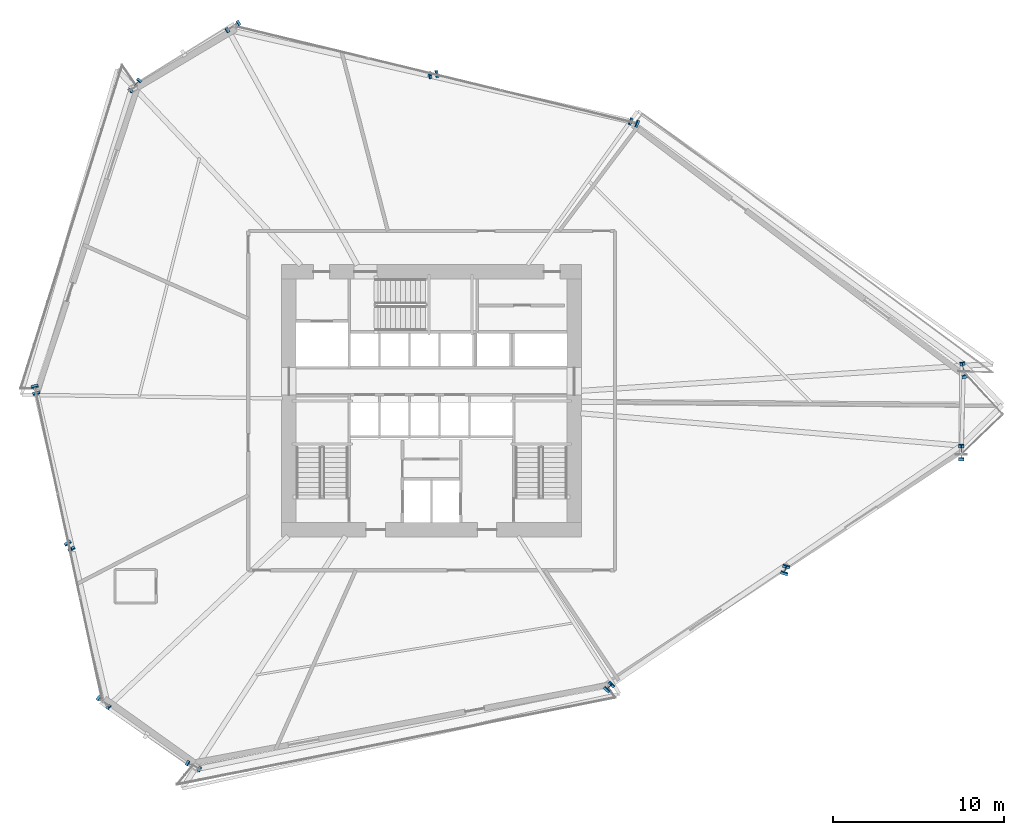
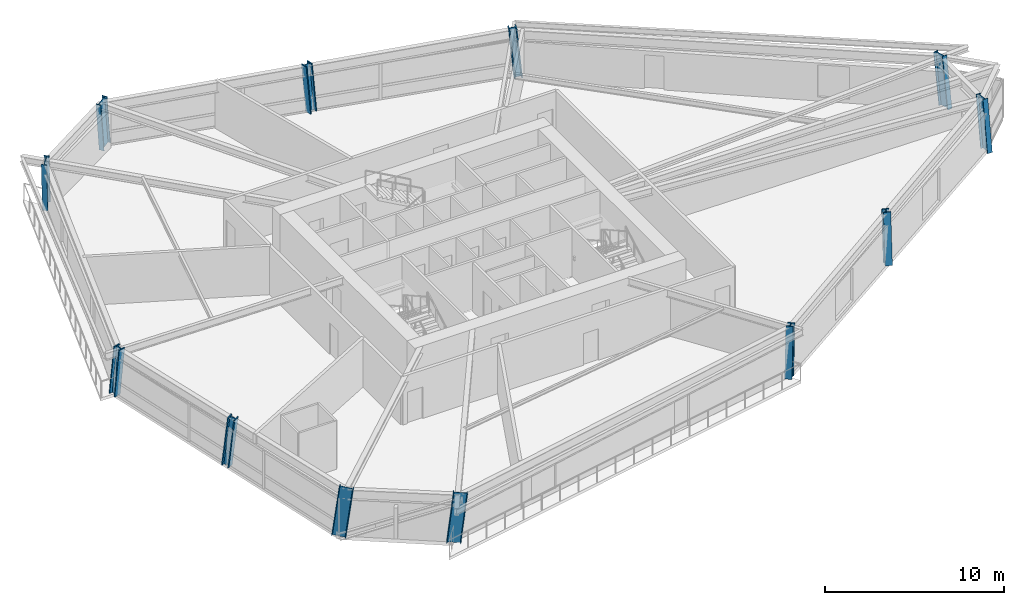
# One storey, part 1 of 24: 12 columns.
"""IFC4 building model written with IfcOpenShell, lengths in metres."""

import ifcopenshell
import ifcopenshell.guid

model = None  # the IFC model being written
_history = None  # IfcOwnerHistory: only IFC2X3 demands one
_inside = {}  # id of a spatial element -> (the spatial element, [elements in it])
_under = {}  # id of a project, library or spatial element -> (it, [spatial elements below it])
_declared = {}  # id of a project -> (the project, [libraries it declares])
_typed = {}  # id of a type object -> (the type object, [elements of that type])
_made_of = {}  # id of a material, layer set ... -> (it, [elements and type objects made of it])


def new_model(schema):
    """Start an empty IFC model of exactly this schema.

    Asked for "IFC4X3", IfcOpenShell would pick the latest addendum, in which some entities
    have other attributes; the version numbers below select the first issue.
    IFC2X3 requires an IfcOwnerHistory on every rooted entity: one is made here for all.
    """
    global model, _history
    if schema == "IFC4X3":
        model = ifcopenshell.file(schema_version=(4, 3, 0, 0))
    else:
        model = ifcopenshell.file(schema=schema)
    _inside.clear()
    _under.clear()
    _declared.clear()
    _typed.clear()
    _made_of.clear()
    _history = None
    if model.schema == "IFC2X3":
        org = make("IfcOrganization", Name="unknown")
        user = make(
            "IfcPersonAndOrganization",
            ThePerson=make("IfcPerson", FamilyName="unknown"),
            TheOrganization=org,
        )
        app = make(
            "IfcApplication",
            ApplicationDeveloper=org,
            Version="unknown",
            ApplicationFullName="unknown",
            ApplicationIdentifier="unknown",
        )
        _history = make(
            "IfcOwnerHistory",
            OwningUser=user,
            OwningApplication=app,
            ChangeAction="ADDED",
            CreationDate=0,
        )
    return model


def make(cls, **values):
    """One entity of the class cls with the attributes given. An attribute that is None is left unset."""
    return model.create_entity(
        cls, **{name: value for name, value in values.items() if value is not None}
    )


def rooted(cls, **values):
    """An entity with a GlobalId (a new one), such as an element, a storey or a relation."""
    return make(cls, GlobalId=ifcopenshell.guid.new(), OwnerHistory=_history, **values)


def si_unit(unit_type, name, prefix=None):
    """IfcSIUnit, for example si_unit("LENGTHUNIT", "METRE", prefix="MILLI")."""
    return make("IfcSIUnit", UnitType=unit_type, Prefix=prefix, Name=name)


def assignment(units):
    """IfcUnitAssignment: the units of a project."""
    return None if units is None else make("IfcUnitAssignment", Units=units)


def point(xyz):
    """IfcCartesianPoint."""
    return None if xyz is None else make("IfcCartesianPoint", Coordinates=xyz)


def direction(xyz):
    """IfcDirection."""
    return None if xyz is None else make("IfcDirection", DirectionRatios=xyz)


def frame(location, z_axis=None, x_axis=None):
    """IfcAxis2Placement3D, a coordinate frame: its origin and axes. An axis left out is left unset."""
    return make(
        "IfcAxis2Placement3D",
        Location=point(location),
        Axis=direction(z_axis),
        RefDirection=direction(x_axis),
    )


def frame_2d(location, x_axis=None):
    """IfcAxis2Placement2D, a coordinate frame in the plane: its origin and x axis."""
    return make(
        "IfcAxis2Placement2D", Location=point(location), RefDirection=direction(x_axis)
    )


def origin():
    """The frame at (0, 0, 0) with its axes left unset."""
    return frame((0.0, 0.0, 0.0))


def origin_2d():
    """The frame at (0, 0) in the plane with its x axis left unset."""
    return frame_2d((0.0, 0.0))


def place(relative_to, where):
    """IfcLocalPlacement: puts the frame where relative to a parent placement (None: the world)."""
    return make(
        "IfcLocalPlacement", PlacementRelTo=relative_to, RelativePlacement=where
    )


def context(
    kind, dimensions, precision=None, world=None, true_north=None, identifier=None
):
    """IfcGeometricRepresentationContext, for example the 3D "Model" context."""
    return make(
        "IfcGeometricRepresentationContext",
        ContextIdentifier=identifier,
        ContextType=kind,
        CoordinateSpaceDimension=dimensions,
        Precision=precision,
        WorldCoordinateSystem=world,
        TrueNorth=true_north,
    )


def subcontext(parent, identifier, kind, view, scale=None):
    """IfcGeometricRepresentationSubContext, for example "Body" below "Model"."""
    return make(
        "IfcGeometricRepresentationSubContext",
        ContextIdentifier=identifier,
        ContextType=kind,
        ParentContext=parent,
        TargetScale=scale,
        TargetView=view,
    )


def project(units=None, contexts=None):
    """IfcProject with its units and contexts."""
    return rooted(
        "IfcProject",
        Name="project",
        RepresentationContexts=contexts,
        UnitsInContext=assignment(units),
    )


def spatial(cls, under=None, at=None, **own):
    """A site, building, storey or space (cls), placed at a placement, below another one or the project."""
    s = rooted(cls, ObjectPlacement=at, **own)
    if under is not None:
        _under.setdefault(under.id(), (under, []))[1].append(s)
    return s


def profile(cls, at=None, kind="AREA", **sizes):
    """A parametric profile (cls). Its sizes go by their IFC names, for example OverallWidth=200.0."""
    return make(cls, ProfileType=kind, Position=at, **sizes)


def i_section(**sizes):
    """IfcIShapeProfileDef."""
    return profile("IfcIShapeProfileDef", **sizes)


def extrude(swept, where, along, depth):
    """IfcExtrudedAreaSolid: the profile swept, set in the frame where, extruded along a direction by depth."""
    return make(
        "IfcExtrudedAreaSolid",
        SweptArea=swept,
        Position=where,
        ExtrudedDirection=direction(along),
        Depth=depth,
    )


def shape(context_of_items, identifier, shape_type, items):
    """IfcShapeRepresentation: the items that make up one representation, for example the "Body"."""
    return make(
        "IfcShapeRepresentation",
        ContextOfItems=context_of_items,
        RepresentationIdentifier=identifier,
        RepresentationType=shape_type,
        Items=items,
    )


def source(mapping_origin, context_of_items, identifier, shape_type, items):
    """IfcRepresentationMap: a shape defined once, which mapped items show again and again."""
    return make(
        "IfcRepresentationMap",
        MappingOrigin=mapping_origin,
        MappedRepresentation=shape(context_of_items, identifier, shape_type, items),
    )


def transform(
    local_origin,
    x_axis=None,
    y_axis=None,
    z_axis=None,
    scale=None,
    scale2=None,
    scale3=None,
    uniform=True,
):
    """IfcCartesianTransformationOperator3D, or its non-uniform kind. x_axis, y_axis, z_axis: its Axis1, 2, 3."""
    if uniform:
        return make(
            "IfcCartesianTransformationOperator3D",
            Axis1=direction(x_axis),
            Axis2=direction(y_axis),
            LocalOrigin=point(local_origin),
            Scale=scale,
            Axis3=direction(z_axis),
        )
    return make(
        "IfcCartesianTransformationOperator3DnonUniform",
        Axis1=direction(x_axis),
        Axis2=direction(y_axis),
        LocalOrigin=point(local_origin),
        Scale=scale,
        Axis3=direction(z_axis),
        Scale2=scale2,
        Scale3=scale3,
    )


def mapped(mapping_source, mapping_target):
    """IfcMappedItem: shows the shape of a source again, moved by a transform."""
    return make(
        "IfcMappedItem", MappingSource=mapping_source, MappingTarget=mapping_target
    )


def material(Name=None, Category=None):
    """IfcMaterial."""
    return make("IfcMaterial", Name=Name, Category=Category)


def material_profile(
    of_material, cross_section, Name=None, Category=None, Priority=None
):
    """IfcMaterialProfile: a cross section and its material."""
    return make(
        "IfcMaterialProfile",
        Name=Name,
        Material=of_material,
        Profile=cross_section,
        Priority=Priority,
        Category=Category,
    )


def profile_set(profiles, Name=None, composite=None):
    """IfcMaterialProfileSet."""
    return make(
        "IfcMaterialProfileSet",
        Name=Name,
        MaterialProfiles=profiles,
        CompositeProfile=composite,
    )


def made_of(thing, what):
    """Note that an element or type object is made of a material, layer set ...; save() writes the relation."""
    if what is not None:
        _made_of.setdefault(what.id(), (what, []))[1].append(thing)
    return thing


def type_object(cls, material=None, **own):
    """A type object (cls), such as IfcWallType, which elements share."""
    return made_of(rooted(cls, **own), material)


def element(
    cls,
    number,
    at=None,
    inside=None,
    cuts=None,
    type_object=None,
    material=None,
    context=None,
    identifier="Body",
    shape_type=None,
    held_by="IfcProductDefinitionShape",
    body=None,
    shapes=None,
    **own,
):
    """One element of the class cls, such as IfcWall. Its Tag is "e" and its number.

    at: its placement. inside: the storey or other place that contains it. cuts: it is an
    opening in that element (IfcRelVoidsElement). A single representation is given by context,
    identifier, shape_type and body (its items); several are given by shapes. held_by: the class
    of the entity that holds the representations. save() writes the other relations.
    """
    e = rooted(cls, Tag="e%d" % number, ObjectPlacement=at, **own)
    if body is not None:
        shapes = [shape(context, identifier, shape_type, body)]
    if shapes is not None:
        e.Representation = make(held_by, Representations=shapes)
    if inside is not None:
        _inside.setdefault(inside.id(), (inside, []))[1].append(e)
    if cuts is not None:
        rooted(
            "IfcRelVoidsElement", RelatingBuildingElement=cuts, RelatedOpeningElement=e
        )
    if type_object is not None:
        _typed.setdefault(type_object.id(), (type_object, []))[1].append(e)
    return made_of(e, material)


def aggregate(whole, parts):
    """IfcRelAggregates: a whole, such as a stair, and the parts it consists of."""
    return rooted("IfcRelAggregates", RelatingObject=whole, RelatedObjects=parts)


def save(model, path):
    """Write the relations noted so far, then the file.

    IfcRelAggregates (storeys below a building ...), IfcRelContainedInSpatialStructure (elements
    in a storey), IfcRelDefinesByType, IfcRelAssociatesMaterial and IfcRelDeclares: one each for
    every whole, place, type object, material and project.
    """
    for whole, parts in _under.values():
        aggregate(whole, parts)
    for where, things in _inside.values():
        rooted(
            "IfcRelContainedInSpatialStructure",
            RelatedElements=things,
            RelatingStructure=where,
        )
    for kind, things in _typed.values():
        rooted("IfcRelDefinesByType", RelatedObjects=things, RelatingType=kind)
    for what, things in _made_of.values():
        rooted("IfcRelAssociatesMaterial", RelatedObjects=things, RelatingMaterial=what)
    for by, libraries in _declared.values():
        rooted("IfcRelDeclares", RelatingContext=by, RelatedDefinitions=libraries)
    model.write(path)


model = new_model("IFC4")

# Units and contexts
model_context = context("Model", 3, precision=1e-05, world=origin(), true_north=direction((0.0, 1.0)))
body_context = subcontext(model_context, "Body", "Model", "MODEL_VIEW")
ifc_project = project(units=[si_unit("LENGTHUNIT", "METRE"), si_unit("AREAUNIT", "SQUARE_METRE"), si_unit("VOLUMEUNIT", "CUBIC_METRE"), si_unit("PLANEANGLEUNIT", "RADIAN"), si_unit("MASSUNIT", "GRAM", prefix="KILO")], contexts=[model_context])

# Site, building, storey
site_placement = place(None, origin())
site = spatial("IfcSite", under=ifc_project, at=site_placement, CompositionType="ELEMENT")
building_placement = place(site_placement, origin())
building = spatial("IfcBuilding", under=site, at=building_placement, Name="Olszyna Solenne Hotel", CompositionType="ELEMENT")
storey_placement = place(building_placement, frame((0.0, 0.0, 29.300048828125)))
storey = spatial("IfcBuildingStorey", under=building, at=storey_placement, Name="L06", CompositionType="ELEMENT", Elevation=29.300048828125)

# Columns
ifc_material = material(Name="Steel S460M", Category="steel")
ifc_material_profile_1 = material_profile(ifc_material, i_section(OverallWidth=0.30810546875, OverallDepth=0.81396484375, WebThickness=0.02099609375, FlangeThickness=0.0400390625, at=origin_2d()), Name="HEM 800", Category="load-bearing")
ifc_profile_set_1 = profile_set([ifc_material_profile_1], Name="Steel S460M")
column_type_1 = type_object("IfcColumnType", Name="COL-K1", PredefinedType="COLUMN", material=ifc_profile_set_1)
shared_shape_1 = source(origin(), body_context, "Body", "SweptSolid", [
    extrude(i_section(OverallWidth=0.30810546875, OverallDepth=0.81396484375, WebThickness=0.02099609375, FlangeThickness=0.0400390625, at=origin_2d()), origin(), (0.0, 0.0, 1.0), 3.422607421875),
])
column_1_placement = place(storey_placement, frame((68.9111328125, 23.4697265625, 0.0), z_axis=(0.000428000602, 0.147660207699, 0.989038057851), x_axis=(-0.999995799228, 0.002898538548, 0.0)))
element("IfcColumn", 1, at=column_1_placement, inside=storey, type_object=column_type_1, Name="Perimeter framed-tube column COL-K1 C-L06-01", PredefinedType="COLUMN", context=body_context, shape_type="MappedRepresentation", body=[
    mapped(shared_shape_1, transform((0.0, 0.0, 0.0), x_axis=(1.0, 0.0, 0.0), y_axis=(0.0, 1.0, 0.0), z_axis=(0.0, 0.0, 1.0), scale=1.0)),
])
shared_shape_2 = source(origin(), body_context, "Body", "SweptSolid", [
    extrude(i_section(OverallWidth=0.30810546875, OverallDepth=0.81396484375, WebThickness=0.02099609375, FlangeThickness=0.0400390625, at=origin_2d()), origin(), (0.0, 0.0, 1.0), 3.418212890625),
])
column_2_placement = place(storey_placement, frame((69.0498046875, 28.290771484375, 0.0), z_axis=(-0.021856338759, 0.13706638588, 0.99032070882), x_axis=(-0.987523986633, -0.157468650292, 0.0)))
element("IfcColumn", 2, at=column_2_placement, inside=storey, type_object=column_type_1, Name="Perimeter framed-tube column COL-K1 C-L06-02", PredefinedType="COLUMN", context=body_context, shape_type="MappedRepresentation", body=[
    mapped(shared_shape_2, transform((0.0, 0.0, 0.0), x_axis=(1.0, 0.0, 0.0), y_axis=(0.0, 1.0, 0.0), z_axis=(0.0, 0.0, 1.0), scale=1.0)),
])
ifc_material_profile_2 = material_profile(ifc_material, i_section(OverallWidth=0.424072265625, OverallDepth=0.47412109375, WebThickness=0.04296875, FlangeThickness=0.068115234375, at=origin_2d()), Name="HD 400x634", Category="load-bearing")
ifc_profile_set_2 = profile_set([ifc_material_profile_2], Name="Steel S460M")
column_type_2 = type_object("IfcColumnType", Name="COL-T1", PredefinedType="COLUMN", material=ifc_profile_set_2)
shared_shape_3 = source(origin(), body_context, "Body", "SweptSolid", [
    extrude(i_section(OverallWidth=0.424072265625, OverallDepth=0.47412109375, WebThickness=0.04296875, FlangeThickness=0.068115234375, at=origin_2d()), origin(), (0.0, 0.0, 1.0), 3.39990234375),
])
column_3_placement = place(storey_placement, frame((49.8544921875, 42.805419921875, 0.0), z_axis=(-0.088177327317, 0.032168927229, 0.995585214368), x_axis=(-0.342725666193, -0.93943553144, 0.0)))
element("IfcColumn", 3, at=column_3_placement, inside=storey, type_object=column_type_2, Name="Perimeter framed-tube column COL-T1 C-L06-03", PredefinedType="COLUMN", context=body_context, shape_type="MappedRepresentation", body=[
    mapped(shared_shape_3, transform((0.0, 0.0, 0.0), x_axis=(1.0, 0.0, 0.0), y_axis=(0.0, 1.0, 0.0), z_axis=(0.0, 0.0, 1.0), scale=1.0)),
])
shared_shape_4 = source(origin(), body_context, "Body", "SweptSolid", [
    extrude(i_section(OverallWidth=0.424072265625, OverallDepth=0.47412109375, WebThickness=0.04296875, FlangeThickness=0.068115234375, at=origin_2d()), origin(), (0.0, 0.0, 1.0), 3.400634765625),
])
for number, where, z_axis, x_axis, name in (
    (4, (38.1591796875, 45.63427734375, 0.0), (-0.094548735687, -0.016583719016, 0.995382095903), (0.172761290889, -0.984963723378, 0.0), "Perimeter framed-tube column COL-T1 C-L06-04"),
    (5, (48.318603515625, 9.842529296875, 0.0), (0.065114905761, 0.070427478006, 0.99538938079), (-0.73425798924, 0.678870536433, 0.0), "Perimeter framed-tube column COL-T1 C-L06-11"),
):
    element("IfcColumn", number, at=place(storey_placement, frame(where, z_axis=z_axis, x_axis=x_axis)), inside=storey, type_object=column_type_2, Name=name, PredefinedType="COLUMN", context=body_context, shape_type="MappedRepresentation", body=[
        mapped(shared_shape_4, transform((0.0, 0.0, 0.0), x_axis=(1.0, 0.0, 0.0), y_axis=(0.0, 1.0, 0.0), z_axis=(0.0, 0.0, 1.0), scale=1.0)),
    ])
shared_shape_5 = source(origin(), body_context, "Body", "SweptSolid", [
    extrude(i_section(OverallWidth=0.30810546875, OverallDepth=0.81396484375, WebThickness=0.02099609375, FlangeThickness=0.0400390625, at=origin_2d()), origin(), (0.0, 0.0, 1.0), 3.40966796875),
])
column_4_placement = place(storey_placement, frame((26.464111328125, 48.463134765625, 0.0), z_axis=(-0.100816362927, -0.065158302744, 0.992769085211), x_axis=(0.542806016469, -0.839858100208, 0.0)))
element("IfcColumn", 6, at=column_4_placement, inside=storey, type_object=column_type_1, Name="Perimeter framed-tube column COL-K1 C-L06-05", PredefinedType="COLUMN", context=body_context, shape_type="MappedRepresentation", body=[
    mapped(shared_shape_5, transform((0.0, 0.0, 0.0), x_axis=(1.0, 0.0, 0.0), y_axis=(0.0, 1.0, 0.0), z_axis=(0.0, 0.0, 1.0), scale=1.0)),
])
shared_shape_6 = source(origin(), body_context, "Body", "SweptSolid", [
    extrude(i_section(OverallWidth=0.30810546875, OverallDepth=0.81396484375, WebThickness=0.02099609375, FlangeThickness=0.0400390625, at=origin_2d()), origin(), (0.0, 0.0, 1.0), 3.40576171875),
])
column_5_placement = place(storey_placement, frame((20.72265625, 45.040283203125, 0.0), z_axis=(-0.07168631532, -0.083442871032, 0.993930761909), x_axis=(0.758520136118, -0.651649601476, 0.0)))
element("IfcColumn", 7, at=column_5_placement, inside=storey, type_object=column_type_1, Name="Perimeter framed-tube column COL-K1 C-L06-06", PredefinedType="COLUMN", context=body_context, shape_type="MappedRepresentation", body=[
    mapped(shared_shape_6, transform((0.0, 0.0, 0.0), x_axis=(1.0, 0.0, 0.0), y_axis=(0.0, 1.0, 0.0), z_axis=(0.0, 0.0, 1.0), scale=1.0)),
])
shared_shape_7 = source(origin(), body_context, "Body", "SweptSolid", [
    extrude(i_section(OverallWidth=0.424072265625, OverallDepth=0.47412109375, WebThickness=0.04296875, FlangeThickness=0.068115234375, at=origin_2d()), origin(), (0.0, 0.0, 1.0), 3.40576171875),
])
column_6_placement = place(storey_placement, frame((14.870849609375, 27.299560546875, 0.0), z_axis=(0.025304377462, -0.10738231569, 0.993895732337), x_axis=(0.973340420784, 0.229365266046, 0.0)))
element("IfcColumn", 8, at=column_6_placement, inside=storey, type_object=column_type_2, Name="Perimeter framed-tube column COL-T1 C-L06-07", PredefinedType="COLUMN", context=body_context, shape_type="MappedRepresentation", body=[
    mapped(shared_shape_7, transform((0.0, 0.0, 0.0), x_axis=(1.0, 0.0, 0.0), y_axis=(0.0, 1.0, 0.0), z_axis=(0.0, 0.0, 1.0), scale=1.0)),
])
shared_shape_8 = source(origin(), body_context, "Body", "SweptSolid", [
    extrude(i_section(OverallWidth=0.424072265625, OverallDepth=0.47412109375, WebThickness=0.04296875, FlangeThickness=0.068115234375, at=origin_2d()), origin(), (0.0, 0.0, 1.0), 3.406982421875),
])
column_7_placement = place(storey_placement, frame((16.837890625, 18.16845703125, 0.0), z_axis=(0.059978851438, -0.096166808399, 0.993556481707), x_axis=(0.848495215225, 0.529203051522, 0.0)))
element("IfcColumn", 9, at=column_7_placement, inside=storey, type_object=column_type_2, Name="Perimeter framed-tube column COL-T1 C-L06-08", PredefinedType="COLUMN", context=body_context, shape_type="MappedRepresentation", body=[
    mapped(shared_shape_8, transform((0.0, 0.0, 0.0), x_axis=(1.0, 0.0, 0.0), y_axis=(0.0, 1.0, 0.0), z_axis=(0.0, 0.0, 1.0), scale=1.0)),
])
shared_shape_9 = source(origin(), body_context, "Body", "SweptSolid", [
    extrude(i_section(OverallWidth=0.30810546875, OverallDepth=0.81396484375, WebThickness=0.02099609375, FlangeThickness=0.0400390625, at=origin_2d()), origin(), (0.0, 0.0, 1.0), 3.41259765625),
])
column_8_placement = place(storey_placement, frame((18.80517578125, 9.03759765625, 0.0), z_axis=(0.094504351121, -0.084846449985, 0.991902216725), x_axis=(0.668061729944, 0.744105856034, 0.0)))
element("IfcColumn", 10, at=column_8_placement, inside=storey, type_object=column_type_1, Name="Perimeter framed-tube column COL-K1 C-L06-09", PredefinedType="COLUMN", context=body_context, shape_type="MappedRepresentation", body=[
    mapped(shared_shape_9, transform((0.0, 0.0, 0.0), x_axis=(1.0, 0.0, 0.0), y_axis=(0.0, 1.0, 0.0), z_axis=(0.0, 0.0, 1.0), scale=1.0)),
])
shared_shape_10 = source(origin(), body_context, "Body", "SweptSolid", [
    extrude(i_section(OverallWidth=0.30810546875, OverallDepth=0.81396484375, WebThickness=0.02099609375, FlangeThickness=0.0400390625, at=origin_2d()), origin(), (0.0, 0.0, 1.0), 3.406494140625),
])
column_9_placement = place(storey_placement, frame((24.047119140625, 5.29833984375, 0.0), z_axis=(0.099404044519, -0.052102913025, 0.993682103284), x_axis=(0.464245592076, 0.885706514731, 0.0)))
element("IfcColumn", 11, at=column_9_placement, inside=storey, type_object=column_type_1, Name="Perimeter framed-tube column COL-K1 C-L06-10", PredefinedType="COLUMN", context=body_context, shape_type="MappedRepresentation", body=[
    mapped(shared_shape_10, transform((0.0, 0.0, 0.0), x_axis=(1.0, 0.0, 0.0), y_axis=(0.0, 1.0, 0.0), z_axis=(0.0, 0.0, 1.0), scale=1.0)),
])
shared_shape_11 = source(origin(), body_context, "Body", "SweptSolid", [
    extrude(i_section(OverallWidth=0.424072265625, OverallDepth=0.47412109375, WebThickness=0.04296875, FlangeThickness=0.068115234375, at=origin_2d()), origin(), (0.0, 0.0, 1.0), 3.4072265625),
])
column_10_placement = place(storey_placement, frame((58.614990234375, 16.65625, 0.0), z_axis=(0.032673963484, 0.109271478757, 0.99347478883), x_axis=(-0.958085265379, 0.286483200664, 0.0)))
element("IfcColumn", 12, at=column_10_placement, inside=storey, type_object=column_type_2, Name="Perimeter framed-tube column COL-T1 C-L06-12", PredefinedType="COLUMN", context=body_context, shape_type="MappedRepresentation", body=[
    mapped(shared_shape_11, transform((0.0, 0.0, 0.0), x_axis=(1.0, 0.0, 0.0), y_axis=(0.0, 1.0, 0.0), z_axis=(0.0, 0.0, 1.0), scale=1.0)),
])

save(model, "model.ifc")
